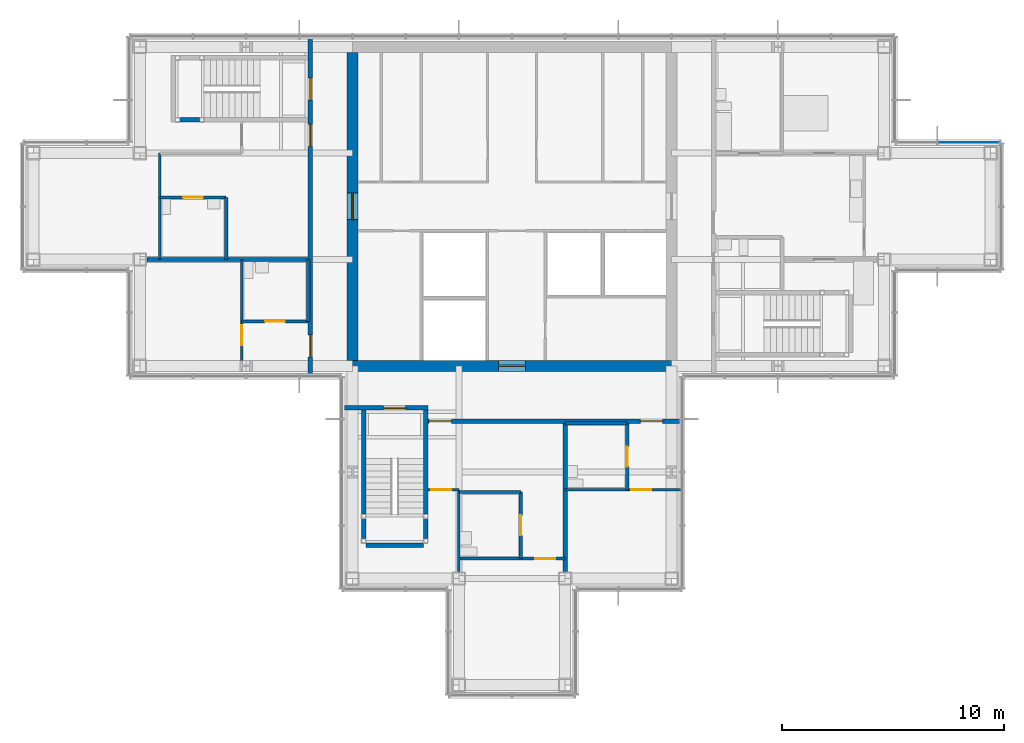
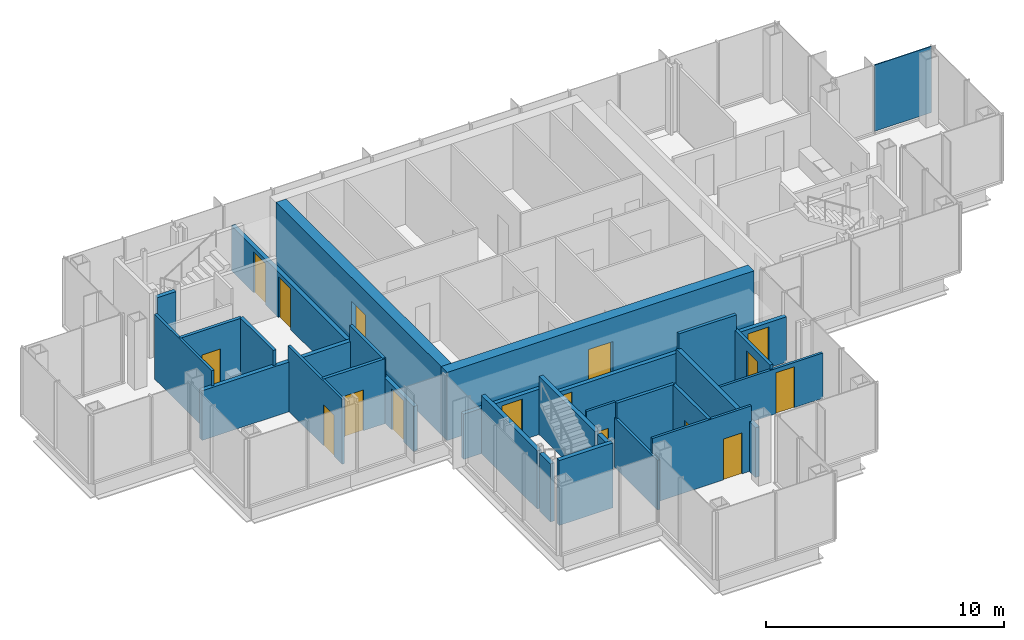
# One storey, part 10 of 15: 27 walls, 16 doors, 1 plate, 16 openings, 1 element without a shape of its own.
"""IFC4 building model written with IfcOpenShell, lengths in metres."""

from ifc_helpers import new_model, si_unit, direction, frame, frame_2d, origin, origin_2d, place, context, subcontext, project, spatial, rectangle, extrude, material, layer, layer_set, type_object, element, fill, aggregate, save


model = new_model("IFC4")

# Units and contexts
model_context = context("Model", 3, precision=1e-05, world=origin(), true_north=direction((0.0, 1.0)))
body_context = subcontext(model_context, "Body", "Model", "MODEL_VIEW")
ifc_project = project(units=[si_unit("LENGTHUNIT", "METRE"), si_unit("AREAUNIT", "SQUARE_METRE"), si_unit("VOLUMEUNIT", "CUBIC_METRE"), si_unit("PLANEANGLEUNIT", "RADIAN"), si_unit("MASSUNIT", "GRAM", prefix="KILO")], contexts=[model_context])

# Site, building, storey
site_placement = place(None, origin())
site = spatial("IfcSite", under=ifc_project, at=site_placement, CompositionType="ELEMENT")
building_placement = place(site_placement, origin())
building = spatial("IfcBuilding", under=site, at=building_placement, Name="Kvirike Care Tower", CompositionType="ELEMENT")
storey_placement = place(building_placement, frame((0.0, 0.0, 233.0)))
storey = spatial("IfcBuildingStorey", under=building, at=storey_placement, Name="L64", CompositionType="ELEMENT", Elevation=233.0)

# Curtain wall, plate
ifc_material_1 = material(Name="Anodised aluminium stick system", Category="aluminium")
curtain_wall_type = type_object("IfcCurtainWallType", Name="CW-D STICK CURTAIN WALL", PredefinedType="NOTDEFINED", material=ifc_material_1)
curtain_wall_placement = place(storey_placement, origin())
curtain_wall = element("IfcCurtainWall", 1, at=curtain_wall_placement, inside=storey, type_object=curtain_wall_type, Name="Curtain wall L64 face 5", PredefinedType="NOTDEFINED")
ifc_material_2 = material(Name="Tinted double glazed unit", Category="glass")
ifc_layer_1 = layer(ifc_material_2, 0.0439453125)
ifc_layer_set_1 = layer_set([ifc_layer_1], Name="TINTED VISION PANEL 44")
plate_type = type_object("IfcPlateType", Name="TINTED VISION PANEL 44", PredefinedType="CURTAIN_PANEL", material=ifc_layer_set_1)
plate_placement = place(storey_placement, frame((42.2236328125, 38.8798828125, 0.10009765625), z_axis=(0.0, 0.0, 1.0), x_axis=(-1.0, 0.0, 0.0)))
plate = element("IfcPlate", 2, at=plate_placement, type_object=plate_type, Name="CW-D panel L64 face 5.1", PredefinedType="CURTAIN_PANEL", context=body_context, shape_type="SweptSolid", body=[
    extrude(rectangle(XDim=2.782470703125, YDim=0.0439453125, at=origin_2d()), origin(), (0.0, 0.0, 1.0), 3.39990234375),
])
aggregate(curtain_wall, [plate])

# Wall, opening, door
ifc_material_3 = material(Name="Moisture-resistant board partition", Category="gypsum")
ifc_layer_2 = layer(ifc_material_3, 0.14990234375)
ifc_layer_set_2 = layer_set([ifc_layer_2], Name="BATHROOM WALL 150")
wall_type_1 = type_object("IfcWallType", Name="BATHROOM WALL 150", PredefinedType="PARTITIONING", material=ifc_layer_set_2)
wall_1_placement = place(storey_placement, frame((5.699951171875, 36.39990234375, 0.0), z_axis=(0.0, 0.0, 1.0), x_axis=(1.0, 0.0, 0.0)))
wall_1 = element("IfcWall", 3, at=wall_1_placement, inside=storey, type_object=wall_type_1, Name="Bathroom Wall 150 L64", PredefinedType="PARTITIONING", context=body_context, shape_type="SweptSolid", body=[
    extrude(rectangle(XDim=3.0, YDim=0.14990234375, at=frame_2d((1.5, 0.0))), origin(), (0.0, 0.0, 1.0), 3.330078125),
])
opening_1_placement = place(wall_1_placement, frame((1.050048828125, 0.0, 0.0)))
opening_1 = element("IfcOpeningElement", 4, at=opening_1_placement, cuts=wall_1, Name="Opening 64-001", PredefinedType="OPENING", context=body_context, shape_type="SweptSolid", body=[
    extrude(rectangle(XDim=0.89990234375, YDim=2.10009765625, at=frame_2d((0.449951171875, 1.050048828125))), frame((0.0, 0.08544921875, 0.0), z_axis=(0.0, -1.0, 0.0), x_axis=(1.0, 0.0, 0.0)), (0.0, 0.0, 1.0), 0.1708984375),
])
ifc_material_4 = material(Name="Timber door set", Category="wood")
door_type_1 = type_object("IfcDoorType", Name="BATHROOM DOOR 900", OperationType="SINGLE_SWING_RIGHT", PredefinedType="DOOR", material=ifc_material_4)
door_1_placement = place(opening_1_placement, frame((0.89990234375, 0.0, 0.0), z_axis=(0.0, 0.0, 1.0), x_axis=(-1.0, 0.0, 0.0)))
door_1 = element("IfcDoor", 5, at=door_1_placement, inside=storey, type_object=door_type_1, Name="Staff WC door", OperationType="SINGLE_SWING_LEFT", OverallHeight=2.10009765625, OverallWidth=0.89990234375, PredefinedType="DOOR", context=body_context, shape_type="SweptSolid", body=[
    extrude(rectangle(XDim=0.89990234375, YDim=2.10009765625, at=frame_2d((0.449951171875, 1.050048828125))), frame((0.0, 0.02197265625, 0.0), z_axis=(0.0, -1.0, 0.0), x_axis=(1.0, 0.0, 0.0)), (0.0, 0.0, 1.0), 0.0439453125),
])
fill(opening_1, door_1)

# Wall
wall_2_placement = place(storey_placement, frame((8.699951171875, 36.39990234375, 0.0), z_axis=(0.0, 0.0, 1.0), x_axis=(0.0, -1.0, 0.0)))
element("IfcWall", 6, at=wall_2_placement, inside=storey, type_object=wall_type_1, Name="Bathroom Wall 150 L64", PredefinedType="PARTITIONING", context=body_context, shape_type="SweptSolid", body=[
    extrude(rectangle(XDim=2.7998046875, YDim=0.14990234375, at=frame_2d((1.39990234375, 0.0))), origin(), (0.0, 0.0, 1.0), 3.330078125),
])

# Wall, opening, door
wall_3_placement = place(storey_placement, frame((9.39990234375, 30.800048828125, 0.0), z_axis=(0.0, 0.0, 1.0), x_axis=(1.0, 0.0, 0.0)))
wall_3 = element("IfcWall", 7, at=wall_3_placement, inside=storey, type_object=wall_type_1, Name="Bathroom Wall 150 L64", PredefinedType="PARTITIONING", context=body_context, shape_type="SweptSolid", body=[
    extrude(rectangle(XDim=3.0, YDim=0.14990234375, at=frame_2d((1.5, 0.0))), origin(), (0.0, 0.0, 1.0), 3.330078125),
])
opening_2_placement = place(wall_3_placement, frame((1.050048828125, 0.0, 0.0)))
opening_2 = element("IfcOpeningElement", 8, at=opening_2_placement, cuts=wall_3, Name="Opening 64-003", PredefinedType="OPENING", context=body_context, shape_type="SweptSolid", body=[
    extrude(rectangle(XDim=0.89990234375, YDim=2.10009765625, at=frame_2d((0.449951171875, 1.050048828125))), frame((0.0, 0.08544921875, 0.0), z_axis=(0.0, -1.0, 0.0), x_axis=(1.0, 0.0, 0.0)), (0.0, 0.0, 1.0), 0.1708984375),
])
door_2_placement = place(opening_2_placement, frame((0.89990234375, 0.0, 0.0), z_axis=(0.0, 0.0, 1.0), x_axis=(-1.0, 0.0, 0.0)))
door_2 = element("IfcDoor", 9, at=door_2_placement, inside=storey, type_object=door_type_1, Name="Accessible WC door", OperationType="SINGLE_SWING_LEFT", OverallHeight=2.10009765625, OverallWidth=0.89990234375, PredefinedType="DOOR", context=body_context, shape_type="SweptSolid", body=[
    extrude(rectangle(XDim=0.89990234375, YDim=2.10009765625, at=frame_2d((0.449951171875, 1.050048828125))), frame((0.0, 0.02197265625, 0.0), z_axis=(0.0, -1.0, 0.0), x_axis=(1.0, 0.0, 0.0)), (0.0, 0.0, 1.0), 0.0439453125),
])
fill(opening_2, door_2)

# Wall
wall_4_placement = place(storey_placement, frame((12.39990234375, 33.60009765625, 0.0), z_axis=(0.0, 0.0, 1.0), x_axis=(0.0, -1.0, 0.0)))
element("IfcWall", 10, at=wall_4_placement, inside=storey, type_object=wall_type_1, Name="Bathroom Wall 150 L64", PredefinedType="PARTITIONING", context=body_context, shape_type="SweptSolid", body=[
    extrude(rectangle(XDim=2.800048828125, YDim=0.14990234375, at=frame_2d((1.39990234375, 0.0))), origin(), (0.0, 0.0, 1.0), 3.330078125),
])

# Wall, opening, door
wall_5_placement = place(storey_placement, frame((22.0, 20.10009765625, 0.0), z_axis=(0.0, 0.0, 1.0), x_axis=(0.0, 1.0, 0.0)))
wall_5 = element("IfcWall", 11, at=wall_5_placement, inside=storey, type_object=wall_type_1, Name="Bathroom Wall 150 L64", PredefinedType="PARTITIONING", context=body_context, shape_type="SweptSolid", body=[
    extrude(rectangle(XDim=3.0, YDim=0.14990234375, at=frame_2d((1.5, 0.0))), origin(), (0.0, 0.0, 1.0), 3.330078125),
])
opening_3_placement = place(wall_5_placement, frame((1.050048828125, 0.0, 0.0)))
opening_3 = element("IfcOpeningElement", 12, at=opening_3_placement, cuts=wall_5, Name="Opening 64-009", PredefinedType="OPENING", context=body_context, shape_type="SweptSolid", body=[
    extrude(rectangle(XDim=0.89990234375, YDim=2.10009765625, at=frame_2d((0.449951171875, 1.050048828125))), frame((0.0, 0.08544921875, 0.0), z_axis=(0.0, -1.0, 0.0), x_axis=(1.0, 0.0, 0.0)), (0.0, 0.0, 1.0), 0.1708984375),
])
door_3_placement = place(opening_3_placement, origin())
door_3 = element("IfcDoor", 13, at=door_3_placement, inside=storey, type_object=door_type_1, Name="Accessible WC door", OperationType="SINGLE_SWING_LEFT", OverallHeight=2.10009765625, OverallWidth=0.89990234375, PredefinedType="DOOR", context=body_context, shape_type="SweptSolid", body=[
    extrude(rectangle(XDim=0.89990234375, YDim=2.10009765625, at=frame_2d((0.449951171875, 1.050048828125))), frame((0.0, 0.02197265625, 0.0), z_axis=(0.0, -1.0, 0.0), x_axis=(1.0, 0.0, 0.0)), (0.0, 0.0, 1.0), 0.0439453125),
])
fill(opening_3, door_3)

# Wall
wall_6_placement = place(storey_placement, frame((19.199951171875, 23.10009765625, 0.0), z_axis=(0.0, 0.0, 1.0), x_axis=(1.0, 0.0, 0.0)))
element("IfcWall", 14, at=wall_6_placement, inside=storey, type_object=wall_type_1, Name="Bathroom Wall 150 L64", PredefinedType="PARTITIONING", context=body_context, shape_type="SweptSolid", body=[
    extrude(rectangle(XDim=2.800048828125, YDim=0.14990234375, at=frame_2d((1.39990234375, 0.0))), origin(), (0.0, 0.0, 1.0), 3.330078125),
])

# Wall, opening, door
wall_7_placement = place(storey_placement, frame((26.800048828125, 23.199951171875, 0.0), z_axis=(0.0, 0.0, 1.0), x_axis=(0.0, 1.0, 0.0)))
wall_7 = element("IfcWall", 15, at=wall_7_placement, inside=storey, type_object=wall_type_1, Name="Bathroom Wall 150 L64", PredefinedType="PARTITIONING", context=body_context, shape_type="SweptSolid", body=[
    extrude(rectangle(XDim=3.0, YDim=0.14990234375, at=frame_2d((1.5, 0.0))), origin(), (0.0, 0.0, 1.0), 2.550048828125),
])
opening_4_placement = place(wall_7_placement, frame((1.050048828125, 0.0, 0.0)))
opening_4 = element("IfcOpeningElement", 16, at=opening_4_placement, cuts=wall_7, Name="Opening 64-012", PredefinedType="OPENING", context=body_context, shape_type="SweptSolid", body=[
    extrude(rectangle(XDim=0.89990234375, YDim=2.10009765625, at=frame_2d((0.449951171875, 1.050048828125))), frame((0.0, 0.08544921875, 0.0), z_axis=(0.0, -1.0, 0.0), x_axis=(1.0, 0.0, 0.0)), (0.0, 0.0, 1.0), 0.1708984375),
])
door_4_placement = place(opening_4_placement, frame((0.89990234375, 0.0, 0.0), z_axis=(0.0, 0.0, 1.0), x_axis=(-1.0, 0.0, 0.0)))
door_4 = element("IfcDoor", 17, at=door_4_placement, inside=storey, type_object=door_type_1, Name="Staff WC door", OperationType="SINGLE_SWING_RIGHT", OverallHeight=2.10009765625, OverallWidth=0.89990234375, PredefinedType="DOOR", context=body_context, shape_type="SweptSolid", body=[
    extrude(rectangle(XDim=0.89990234375, YDim=2.10009765625, at=frame_2d((0.449951171875, 1.050048828125))), frame((0.0, 0.02197265625, 0.0), z_axis=(0.0, -1.0, 0.0), x_axis=(1.0, 0.0, 0.0)), (0.0, 0.0, 1.0), 0.0439453125),
])
fill(opening_4, door_4)

# Wall
wall_8_placement = place(storey_placement, frame((24.0, 26.199951171875, 0.0), z_axis=(0.0, 0.0, 1.0), x_axis=(1.0, 0.0, 0.0)))
element("IfcWall", 18, at=wall_8_placement, inside=storey, type_object=wall_type_1, Name="Bathroom Wall 150 L64", PredefinedType="PARTITIONING", context=body_context, shape_type="SweptSolid", body=[
    extrude(rectangle(XDim=2.800048828125, YDim=0.14990234375, at=frame_2d((1.39990234375, 0.0))), origin(), (0.0, 0.0, 1.0), 3.330078125),
])

# Wall, opening, door
ifc_material_5 = material(Name="Concrete C40/50", Category="concrete")
ifc_layer_3 = layer(ifc_material_5, 0.5)
ifc_layer_set_3 = layer_set([ifc_layer_3], Name="CORE WALL 500 C40-50")
wall_type_2 = type_object("IfcWallType", Name="CORE WALL 500 C40-50", PredefinedType="SHEAR", material=ifc_layer_set_3)
wall_9_placement = place(storey_placement, frame((14.14990234375, 28.800048828125, -0.169921875), z_axis=(0.0, 0.0, 1.0), x_axis=(1.0, 0.0, 0.0)))
wall_9 = element("IfcWall", 19, at=wall_9_placement, inside=storey, type_object=wall_type_2, Name="Core wall S L64", PredefinedType="SHEAR", context=body_context, shape_type="SweptSolid", body=[
    extrude(rectangle(XDim=14.900146484375, YDim=0.5, at=frame_2d((7.4501953125, 0.0))), origin(), (0.0, 0.0, 1.0), 3.5),
])
opening_5_placement = place(wall_9_placement, frame((6.85009765625, 0.0, 0.169921875)))
opening_5 = element("IfcOpeningElement", 20, at=opening_5_placement, cuts=wall_9, Name="Opening 64-036", PredefinedType="OPENING", context=body_context, shape_type="SweptSolid", body=[
    extrude(rectangle(XDim=1.199951171875, YDim=2.10009765625, at=frame_2d((0.60009765625, 1.050048828125))), frame((0.0, 0.260498046875, 0.0), z_axis=(0.0, -1.0, 0.0), x_axis=(1.0, 0.0, 0.0)), (0.0, 0.0, 1.0), 0.52099609375),
])
ifc_material_6 = material(Name="Timber door set", Category="wood")
door_type_2 = type_object("IfcDoorType", Name="CORE DOOR 1200", OperationType="SINGLE_SWING_LEFT", PredefinedType="DOOR", material=ifc_material_6)
door_5_placement = place(opening_5_placement, origin())
door_5 = element("IfcDoor", 21, at=door_5_placement, inside=storey, type_object=door_type_2, Name="Core door S L64", OperationType="SINGLE_SWING_LEFT", OverallHeight=2.10009765625, OverallWidth=1.199951171875, PredefinedType="DOOR", context=body_context, shape_type="SweptSolid", body=[
    extrude(rectangle(XDim=1.199951171875, YDim=2.10009765625, at=frame_2d((0.60009765625, 1.050048828125))), frame((0.0, 0.02685546875, 0.0), z_axis=(0.0, -1.0, 0.0), x_axis=(1.0, 0.0, 0.0)), (0.0, 0.0, 1.0), 0.053955078125),
])
fill(opening_5, door_5)

wall_10_placement = place(storey_placement, frame((14.39990234375, 42.949951171875, -0.169921875), z_axis=(0.0, 0.0, 1.0), x_axis=(0.0, -1.0, 0.0)))
wall_10 = element("IfcWall", 22, at=wall_10_placement, inside=storey, type_object=wall_type_2, Name="Core wall W L64", PredefinedType="SHEAR", context=body_context, shape_type="SweptSolid", body=[
    extrude(rectangle(XDim=13.89990234375, YDim=0.5, at=frame_2d((6.949951171875, 0.0))), origin(), (0.0, 0.0, 1.0), 3.5),
])
opening_6_placement = place(wall_10_placement, frame((6.35009765625, 0.0, 0.169921875)))
opening_6 = element("IfcOpeningElement", 23, at=opening_6_placement, cuts=wall_10, Name="Opening 64-037", PredefinedType="OPENING", context=body_context, shape_type="SweptSolid", body=[
    extrude(rectangle(XDim=1.199951171875, YDim=2.10009765625, at=frame_2d((0.60009765625, 1.050048828125))), frame((0.0, 0.260498046875, 0.0), z_axis=(0.0, -1.0, 0.0), x_axis=(1.0, 0.0, 0.0)), (0.0, 0.0, 1.0), 0.52099609375),
])
door_6_placement = place(opening_6_placement, origin())
door_6 = element("IfcDoor", 24, at=door_6_placement, inside=storey, type_object=door_type_2, Name="Core door W L64", OperationType="SINGLE_SWING_LEFT", OverallHeight=2.10009765625, OverallWidth=1.199951171875, PredefinedType="DOOR", context=body_context, shape_type="SweptSolid", body=[
    extrude(rectangle(XDim=1.199951171875, YDim=2.10009765625, at=frame_2d((0.60009765625, 1.050048828125))), frame((0.0, 0.02685546875, 0.0), z_axis=(0.0, -1.0, 0.0), x_axis=(1.0, 0.0, 0.0)), (0.0, 0.0, 1.0), 0.053955078125),
])
fill(opening_6, door_6)

# Wall, openings, doors
ifc_material_7 = material(Name="Plasterboard corridor wall", Category="gypsum")
ifc_layer_4 = layer(ifc_material_7, 0.199951171875)
ifc_layer_set_4 = layer_set([ifc_layer_4], Name="CORRIDOR WALL 200")
wall_type_3 = type_object("IfcWallType", Name="CORRIDOR WALL 200", PredefinedType="PARTITIONING", material=ifc_layer_set_4)
wall_11_placement = place(storey_placement, frame((12.5, 43.655029296875, 0.0), z_axis=(0.0, 0.0, 1.0), x_axis=(0.0, -1.0, 0.0)))
wall_11 = element("IfcWall", 25, at=wall_11_placement, inside=storey, type_object=wall_type_3, Name="Corridor Wall 200 L64", PredefinedType="PARTITIONING", context=body_context, shape_type="SweptSolid", body=[
    extrude(rectangle(XDim=15.31005859375, YDim=0.199951171875, at=frame_2d((7.655029296875, 0.0))), origin(), (0.0, 0.0, 1.0), 2.320068359375),
])
opening_7_placement = place(wall_11_placement, frame((1.85498046875, 0.0, 0.0)))
opening_7 = element("IfcOpeningElement", 26, at=opening_7_placement, cuts=wall_11, Name="Opening 64-005", PredefinedType="OPENING", context=body_context, shape_type="SweptSolid", body=[
    extrude(rectangle(XDim=1.0, YDim=2.10009765625, at=frame_2d((0.5, 1.050048828125))), frame((0.0, 0.110595703125, 0.0), z_axis=(0.0, -1.0, 0.0), x_axis=(1.0, 0.0, 0.0)), (0.0, 0.0, 1.0), 0.220947265625),
])
opening_8_placement = place(wall_11_placement, frame((3.955078125, 0.0, 0.0)))
opening_8 = element("IfcOpeningElement", 27, at=opening_8_placement, cuts=wall_11, Name="Opening 64-006", PredefinedType="OPENING", context=body_context, shape_type="SweptSolid", body=[
    extrude(rectangle(XDim=1.0, YDim=2.10009765625, at=frame_2d((0.5, 1.050048828125))), frame((0.0, 0.110595703125, 0.0), z_axis=(0.0, -1.0, 0.0), x_axis=(1.0, 0.0, 0.0)), (0.0, 0.0, 1.0), 0.220947265625),
])
opening_9_placement = place(wall_11_placement, frame((13.455078125, 0.0, 0.0)))
opening_9 = element("IfcOpeningElement", 28, at=opening_9_placement, cuts=wall_11, Name="Opening 64-007", PredefinedType="OPENING", context=body_context, shape_type="SweptSolid", body=[
    extrude(rectangle(XDim=1.0, YDim=2.10009765625, at=frame_2d((0.5, 1.050048828125))), frame((0.0, 0.110595703125, 0.0), z_axis=(0.0, -1.0, 0.0), x_axis=(1.0, 0.0, 0.0)), (0.0, 0.0, 1.0), 0.220947265625),
])
ifc_material_8 = material(Name="Timber door set", Category="wood")
door_type_3 = type_object("IfcDoorType", Name="FLAT ENTRANCE DOOR 1000", OperationType="SINGLE_SWING_LEFT", PredefinedType="DOOR", material=ifc_material_8)
door_7_placement = place(opening_8_placement, frame((1.0, 0.0, 0.0), z_axis=(0.0, 0.0, 1.0), x_axis=(-1.0, 0.0, 0.0)))
door_7 = element("IfcDoor", 29, at=door_7_placement, inside=storey, type_object=door_type_3, Name="Staff training room entrance", OperationType="SINGLE_SWING_LEFT", OverallHeight=2.10009765625, OverallWidth=1.0, PredefinedType="DOOR", context=body_context, shape_type="SweptSolid", body=[
    extrude(rectangle(XDim=1.0, YDim=2.10009765625, at=frame_2d((0.5, 1.050048828125))), frame((0.0, 0.02685546875, 0.0), z_axis=(0.0, -1.0, 0.0), x_axis=(1.0, 0.0, 0.0)), (0.0, 0.0, 1.0), 0.053955078125),
])
fill(opening_8, door_7)
door_8_placement = place(opening_9_placement, frame((1.0, 0.0, 0.0), z_axis=(0.0, 0.0, 1.0), x_axis=(-1.0, 0.0, 0.0)))
door_8 = element("IfcDoor", 30, at=door_8_placement, inside=storey, type_object=door_type_3, Name="Staff office entrance", OperationType="SINGLE_SWING_RIGHT", OverallHeight=2.10009765625, OverallWidth=1.0, PredefinedType="DOOR", context=body_context, shape_type="SweptSolid", body=[
    extrude(rectangle(XDim=1.0, YDim=2.10009765625, at=frame_2d((0.5, 1.050048828125))), frame((0.0, 0.02685546875, 0.0), z_axis=(0.0, -1.0, 0.0), x_axis=(1.0, 0.0, 0.0)), (0.0, 0.0, 1.0), 0.053955078125),
])
fill(opening_9, door_8)
ifc_material_9 = material(Name="Timber door set", Category="wood")
door_type_4 = type_object("IfcDoorType", Name="STAIR DOOR 1000", OperationType="SINGLE_SWING_LEFT", PredefinedType="DOOR", material=ifc_material_9)
door_9_placement = place(opening_7_placement, frame((1.0, 0.0, 0.0), z_axis=(0.0, 0.0, 1.0), x_axis=(-1.0, 0.0, 0.0)))
door_9 = element("IfcDoor", 31, at=door_9_placement, inside=storey, type_object=door_type_4, Name="Stair 1 door", OperationType="SINGLE_SWING_LEFT", OverallHeight=2.10009765625, OverallWidth=1.0, PredefinedType="DOOR", context=body_context, shape_type="SweptSolid", body=[
    extrude(rectangle(XDim=1.0, YDim=2.10009765625, at=frame_2d((0.5, 1.050048828125))), frame((0.0, 0.031982421875, 0.0), z_axis=(0.0, -1.0, 0.0), x_axis=(1.0, 0.0, 0.0)), (0.0, 0.0, 1.0), 0.06396484375),
])
fill(opening_7, door_9)

wall_12_placement = place(storey_placement, frame((17.800048828125, 26.300048828125, 0.0), z_axis=(0.0, 0.0, 1.0), x_axis=(1.0, 0.0, 0.0)))
wall_12 = element("IfcWall", 32, at=wall_12_placement, inside=storey, type_object=wall_type_3, Name="Corridor Wall 200 L64", PredefinedType="PARTITIONING", context=body_context, shape_type="SweptSolid", body=[
    extrude(rectangle(XDim=11.454833984375, YDim=0.199951171875, at=frame_2d((5.7275390625, 0.0))), origin(), (0.0, 0.0, 1.0), 2.320068359375),
])
opening_10_placement = place(wall_12_placement, frame((0.06005859375, 0.0, 0.0)))
opening_10 = element("IfcOpeningElement", 33, at=opening_10_placement, cuts=wall_12, Name="Opening 64-014", PredefinedType="OPENING", context=body_context, shape_type="SweptSolid", body=[
    extrude(rectangle(XDim=1.0, YDim=2.10009765625, at=frame_2d((0.5, 1.050048828125))), frame((0.0, 0.110595703125, 0.0), z_axis=(0.0, -1.0, 0.0), x_axis=(1.0, 0.0, 0.0)), (0.0, 0.0, 1.0), 0.220947265625),
])
opening_11_placement = place(wall_12_placement, frame((9.60009765625, 0.0, 0.0)))
opening_11 = element("IfcOpeningElement", 34, at=opening_11_placement, cuts=wall_12, Name="Opening 64-015", PredefinedType="OPENING", context=body_context, shape_type="SweptSolid", body=[
    extrude(rectangle(XDim=1.0, YDim=2.10009765625, at=frame_2d((0.5, 1.050048828125))), frame((0.0, 0.110595703125, 0.0), z_axis=(0.0, -1.0, 0.0), x_axis=(1.0, 0.0, 0.0)), (0.0, 0.0, 1.0), 0.220947265625),
])
door_10_placement = place(opening_10_placement, frame((1.0, 0.0, 0.0), z_axis=(0.0, 0.0, 1.0), x_axis=(-1.0, 0.0, 0.0)))
door_10 = element("IfcDoor", 35, at=door_10_placement, inside=storey, type_object=door_type_3, Name="Fitness room entrance", OperationType="SINGLE_SWING_LEFT", OverallHeight=2.10009765625, OverallWidth=1.0, PredefinedType="DOOR", context=body_context, shape_type="SweptSolid", body=[
    extrude(rectangle(XDim=1.0, YDim=2.10009765625, at=frame_2d((0.5, 1.050048828125))), frame((0.0, 0.02685546875, 0.0), z_axis=(0.0, -1.0, 0.0), x_axis=(1.0, 0.0, 0.0)), (0.0, 0.0, 1.0), 0.053955078125),
])
fill(opening_10, door_10)
door_11_placement = place(opening_11_placement, frame((1.0, 0.0, 0.0), z_axis=(0.0, 0.0, 1.0), x_axis=(-1.0, 0.0, 0.0)))
door_11 = element("IfcDoor", 36, at=door_11_placement, inside=storey, type_object=door_type_3, Name="Wellness treatment room entrance", OperationType="SINGLE_SWING_RIGHT", OverallHeight=2.10009765625, OverallWidth=1.0, PredefinedType="DOOR", context=body_context, shape_type="SweptSolid", body=[
    extrude(rectangle(XDim=1.0, YDim=2.10009765625, at=frame_2d((0.5, 1.050048828125))), frame((0.0, 0.02685546875, 0.0), z_axis=(0.0, -1.0, 0.0), x_axis=(1.0, 0.0, 0.0)), (0.0, 0.0, 1.0), 0.053955078125),
])
fill(opening_11, door_11)

# Wall
ifc_material_10 = material(Name="Plasterboard partition", Category="gypsum")
ifc_layer_5 = layer(ifc_material_10, 0.1201171875)
ifc_layer_set_5 = layer_set([ifc_layer_5], Name="PARTITION 120")
wall_type_4 = type_object("IfcWallType", Name="PARTITION 120", PredefinedType="PARTITIONING", material=ifc_layer_set_5)
wall_13_placement = place(storey_placement, frame((5.699951171875, 38.39990234375, 0.0), z_axis=(0.0, 0.0, 1.0), x_axis=(0.0, -1.0, 0.0)))
element("IfcWall", 37, at=wall_13_placement, inside=storey, type_object=wall_type_4, Name="Partition 120 L64", PredefinedType="PARTITIONING", context=body_context, shape_type="SweptSolid", body=[
    extrude(rectangle(XDim=4.7998046875, YDim=0.1201171875, at=frame_2d((2.39990234375, 0.0))), origin(), (0.0, 0.0, 1.0), 3.330078125),
])

# Wall, opening, door
wall_14_placement = place(storey_placement, frame((9.39990234375, 33.60009765625, 0.0), z_axis=(0.0, 0.0, 1.0), x_axis=(0.0, -1.0, 0.0)))
wall_14 = element("IfcWall", 38, at=wall_14_placement, inside=storey, type_object=wall_type_4, Name="Partition 120 L64", PredefinedType="PARTITIONING", context=body_context, shape_type="SweptSolid", body=[
    extrude(rectangle(XDim=4.55615234375, YDim=0.1201171875, at=frame_2d((2.278076171875, 0.0))), origin(), (0.0, 0.0, 1.0), 3.330078125),
])
opening_12_placement = place(wall_14_placement, frame((2.97509765625, 0.0, 0.0)))
opening_12 = element("IfcOpeningElement", 39, at=opening_12_placement, cuts=wall_14, Name="Opening 64-004", PredefinedType="OPENING", context=body_context, shape_type="SweptSolid", body=[
    extrude(rectangle(XDim=0.89990234375, YDim=2.10009765625, at=frame_2d((0.449951171875, 1.050048828125))), frame((0.0, 0.070556640625, 0.0), z_axis=(0.0, -1.0, 0.0), x_axis=(1.0, 0.0, 0.0)), (0.0, 0.0, 1.0), 0.14111328125),
])
ifc_material_11 = material(Name="Timber door set", Category="wood")
door_type_5 = type_object("IfcDoorType", Name="INTERNAL DOOR 900", OperationType="SINGLE_SWING_LEFT", PredefinedType="DOOR", material=ifc_material_11)
door_12_placement = place(opening_12_placement, origin())
door_12 = element("IfcDoor", 40, at=door_12_placement, inside=storey, type_object=door_type_5, Name="Staff office door", OperationType="SINGLE_SWING_RIGHT", OverallHeight=2.10009765625, OverallWidth=0.89990234375, PredefinedType="DOOR", context=body_context, shape_type="SweptSolid", body=[
    extrude(rectangle(XDim=0.89990234375, YDim=2.10009765625, at=frame_2d((0.449951171875, 1.050048828125))), frame((0.0, 0.02197265625, 0.0), z_axis=(0.0, -1.0, 0.0), x_axis=(1.0, 0.0, 0.0)), (0.0, 0.0, 1.0), 0.0439453125),
])
fill(opening_12, door_12)

wall_15_placement = place(storey_placement, frame((17.800048828125, 23.199951171875, 0.0), z_axis=(0.0, 0.0, 1.0), x_axis=(1.0, 0.0, 0.0)))
wall_15 = element("IfcWall", 41, at=wall_15_placement, inside=storey, type_object=wall_type_4, Name="Partition 120 L64", PredefinedType="PARTITIONING", context=body_context, shape_type="SweptSolid", body=[
    extrude(rectangle(XDim=1.39990234375, YDim=0.1201171875, at=frame_2d((0.699951171875, 0.0))), origin(), (0.0, 0.0, 1.0), 3.330078125),
])
opening_13_placement = place(wall_15_placement, frame((0.14990234375, 0.0, 0.0)))
opening_13 = element("IfcOpeningElement", 42, at=opening_13_placement, cuts=wall_15, Name="Opening 64-010", PredefinedType="OPENING", context=body_context, shape_type="SweptSolid", body=[
    extrude(rectangle(XDim=0.89990234375, YDim=2.10009765625, at=frame_2d((0.449951171875, 1.050048828125))), frame((0.0, 0.070556640625, 0.0), z_axis=(0.0, -1.0, 0.0), x_axis=(1.0, 0.0, 0.0)), (0.0, 0.0, 1.0), 0.14111328125),
])
door_13_placement = place(opening_13_placement, frame((0.89990234375, 0.0, 0.0), z_axis=(0.0, 0.0, 1.0), x_axis=(-1.0, 0.0, 0.0)))
door_13 = element("IfcDoor", 43, at=door_13_placement, inside=storey, type_object=door_type_5, Name="Wellness lounge door", OperationType="SINGLE_SWING_LEFT", OverallHeight=2.10009765625, OverallWidth=0.89990234375, PredefinedType="DOOR", context=body_context, shape_type="SweptSolid", body=[
    extrude(rectangle(XDim=0.89990234375, YDim=2.10009765625, at=frame_2d((0.449951171875, 1.050048828125))), frame((0.0, 0.02197265625, 0.0), z_axis=(0.0, -1.0, 0.0), x_axis=(1.0, 0.0, 0.0)), (0.0, 0.0, 1.0), 0.0439453125),
])
fill(opening_13, door_13)

wall_16_placement = place(storey_placement, frame((19.199951171875, 20.10009765625, 0.0), z_axis=(0.0, 0.0, 1.0), x_axis=(1.0, 0.0, 0.0)))
wall_16 = element("IfcWall", 44, at=wall_16_placement, inside=storey, type_object=wall_type_4, Name="Partition 120 L64", PredefinedType="PARTITIONING", context=body_context, shape_type="SweptSolid", body=[
    extrude(rectangle(XDim=4.800048828125, YDim=0.1201171875, at=frame_2d((2.39990234375, 0.0))), origin(), (0.0, 0.0, 1.0), 3.330078125),
])
opening_14_placement = place(wall_16_placement, frame((3.449951171875, 0.0, 0.0)))
opening_14 = element("IfcOpeningElement", 45, at=opening_14_placement, cuts=wall_16, Name="Opening 64-011", PredefinedType="OPENING", context=body_context, shape_type="SweptSolid", body=[
    extrude(rectangle(XDim=0.89990234375, YDim=2.10009765625, at=frame_2d((0.449951171875, 1.050048828125))), frame((0.0, 0.070556640625, 0.0), z_axis=(0.0, -1.0, 0.0), x_axis=(1.0, 0.0, 0.0)), (0.0, 0.0, 1.0), 0.14111328125),
])
door_14_placement = place(opening_14_placement, origin())
door_14 = element("IfcDoor", 46, at=door_14_placement, inside=storey, type_object=door_type_5, Name="Fitness room door", OperationType="SINGLE_SWING_LEFT", OverallHeight=2.10009765625, OverallWidth=0.89990234375, PredefinedType="DOOR", context=body_context, shape_type="SweptSolid", body=[
    extrude(rectangle(XDim=0.89990234375, YDim=2.10009765625, at=frame_2d((0.449951171875, 1.050048828125))), frame((0.0, 0.02197265625, 0.0), z_axis=(0.0, -1.0, 0.0), x_axis=(1.0, 0.0, 0.0)), (0.0, 0.0, 1.0), 0.0439453125),
])
fill(opening_14, door_14)

# Wall
wall_17_placement = place(storey_placement, frame((19.199951171875, 19.52001953125, 0.0), z_axis=(0.0, 0.0, 1.0), x_axis=(0.0, 1.0, 0.0)))
element("IfcWall", 47, at=wall_17_placement, inside=storey, type_object=wall_type_4, Name="Partition 120 L64", PredefinedType="PARTITIONING", context=body_context, shape_type="SweptSolid", body=[
    extrude(rectangle(XDim=3.679931640625, YDim=0.1201171875, at=frame_2d((1.83984375, 0.0))), origin(), (0.0, 0.0, 1.0), 2.550048828125),
])

# Wall, opening, door
wall_18_placement = place(storey_placement, frame((24.0, 23.199951171875, 0.0), z_axis=(0.0, 0.0, 1.0), x_axis=(1.0, 0.0, 0.0)))
wall_18 = element("IfcWall", 48, at=wall_18_placement, inside=storey, type_object=wall_type_4, Name="Partition 120 L64", PredefinedType="PARTITIONING", context=body_context, shape_type="SweptSolid", body=[
    extrude(rectangle(XDim=5.2548828125, YDim=0.1201171875, at=frame_2d((2.62744140625, 0.0))), origin(), (0.0, 0.0, 1.0), 2.320068359375),
])
opening_15_placement = place(wall_18_placement, frame((2.97509765625, 0.0, 0.0)))
opening_15 = element("IfcOpeningElement", 49, at=opening_15_placement, cuts=wall_18, Name="Opening 64-013", PredefinedType="OPENING", context=body_context, shape_type="SweptSolid", body=[
    extrude(rectangle(XDim=0.89990234375, YDim=2.10009765625, at=frame_2d((0.449951171875, 1.050048828125))), frame((0.0, 0.070556640625, 0.0), z_axis=(0.0, -1.0, 0.0), x_axis=(1.0, 0.0, 0.0)), (0.0, 0.0, 1.0), 0.14111328125),
])
door_15_placement = place(opening_15_placement, origin())
door_15 = element("IfcDoor", 50, at=door_15_placement, inside=storey, type_object=door_type_5, Name="Wellness treatment room door", OperationType="SINGLE_SWING_RIGHT", OverallHeight=2.10009765625, OverallWidth=0.89990234375, PredefinedType="DOOR", context=body_context, shape_type="SweptSolid", body=[
    extrude(rectangle(XDim=0.89990234375, YDim=2.10009765625, at=frame_2d((0.449951171875, 1.050048828125))), frame((0.0, 0.02197265625, 0.0), z_axis=(0.0, -1.0, 0.0), x_axis=(1.0, 0.0, 0.0)), (0.0, 0.0, 1.0), 0.0439453125),
])
fill(opening_15, door_15)

# Walls
ifc_material_12 = material(Name="Plasterboard party wall", Category="gypsum")
ifc_layer_6 = layer(ifc_material_12, 0.199951171875)
ifc_layer_set_6 = layer_set([ifc_layer_6], Name="PARTY WALL 200")
wall_type_5 = type_object("IfcWallType", Name="PARTY WALL 200", PredefinedType="PARTITIONING", material=ifc_layer_set_6)
wall_19_placement = place(storey_placement, frame((5.1201171875, 33.60009765625, 0.0), z_axis=(0.0, 0.0, 1.0), x_axis=(1.0, 0.0, 0.0)))
element("IfcWall", 51, at=wall_19_placement, inside=storey, type_object=wall_type_5, Name="Party Wall 200 L64", PredefinedType="PARTITIONING", context=body_context, shape_type="SweptSolid", body=[
    extrude(rectangle(XDim=7.27978515625, YDim=0.199951171875, at=frame_2d((3.639892578125, 0.0))), origin(), (0.0, 0.0, 1.0), 2.550048828125),
])
wall_20_placement = place(storey_placement, frame((24.0, 19.52001953125, 0.0), z_axis=(0.0, 0.0, 1.0), x_axis=(0.0, 1.0, 0.0)))
element("IfcWall", 52, at=wall_20_placement, inside=storey, type_object=wall_type_5, Name="Party Wall 200 L64", PredefinedType="PARTITIONING", context=body_context, shape_type="SweptSolid", body=[
    extrude(rectangle(XDim=6.679931640625, YDim=0.199951171875, at=frame_2d((3.33984375, 0.0))), origin(), (0.0, 0.0, 1.0), 2.550048828125),
])
ifc_material_13 = material(Name="Concrete C40/50", Category="concrete")
ifc_layer_7 = layer(ifc_material_13, 0.199951171875)
ifc_layer_set_7 = layer_set([ifc_layer_7], Name="STAIR WALL 200")
wall_type_6 = type_object("IfcWallType", Name="STAIR WALL 200", PredefinedType="SOLIDWALL", material=ifc_layer_set_7)
for number, where, z_axis, x_axis, name in (
    (53, (6.60009765625, 39.89990234375, 0.0), (0.0, 0.0, 1.0), (1.0, 0.0, 0.0), "Stair Wall 200 L64"),
    (54, (14.89990234375, 21.0, 0.0), (0.0, 0.0, 1.0), (0.0, 1.0, 0.0), "Stair Wall 200 L64"),
):
    element("IfcWall", number, at=place(storey_placement, frame(where, z_axis=z_axis, x_axis=x_axis)), inside=storey, type_object=wall_type_6, Name=name, PredefinedType="SOLIDWALL", context=body_context, shape_type="SweptSolid", body=[
        extrude(rectangle(XDim=0.89990234375, YDim=0.199951171875, at=frame_2d((0.449951171875, 0.0))), origin(), (0.0, 0.0, 1.0), 2.989990234375),
    ])
wall_21_placement = place(storey_placement, frame((14.89990234375, 22.10009765625, 0.0), z_axis=(0.0, 0.0, 1.0), x_axis=(0.0, 1.0, 0.0)))
element("IfcWall", 55, at=wall_21_placement, inside=storey, type_object=wall_type_6, Name="Stair Wall 200 L64", PredefinedType="SOLIDWALL", context=body_context, shape_type="SweptSolid", body=[
    extrude(rectangle(XDim=4.699951171875, YDim=0.199951171875, at=frame_2d((2.35009765625, 0.0))), origin(), (0.0, 0.0, 1.0), 2.989990234375),
])
wall_22_placement = place(storey_placement, frame((17.699951171875, 21.0, 0.0), z_axis=(0.0, 0.0, 1.0), x_axis=(0.0, 1.0, 0.0)))
element("IfcWall", 56, at=wall_22_placement, inside=storey, type_object=wall_type_6, Name="Stair Wall 200 L64", PredefinedType="SOLIDWALL", context=body_context, shape_type="SweptSolid", body=[
    extrude(rectangle(XDim=0.89990234375, YDim=0.199951171875, at=frame_2d((0.449951171875, 0.0))), origin(), (0.0, 0.0, 1.0), 2.989990234375),
])
wall_23_placement = place(storey_placement, frame((17.699951171875, 22.10009765625, 0.0), z_axis=(0.0, 0.0, 1.0), x_axis=(0.0, 1.0, 0.0)))
element("IfcWall", 57, at=wall_23_placement, inside=storey, type_object=wall_type_6, Name="Stair Wall 200 L64", PredefinedType="SOLIDWALL", context=body_context, shape_type="SweptSolid", body=[
    extrude(rectangle(XDim=4.699951171875, YDim=0.199951171875, at=frame_2d((2.35009765625, 0.0))), origin(), (0.0, 0.0, 1.0), 2.989990234375),
])
wall_24_placement = place(storey_placement, frame((15.0, 20.699951171875, 0.0), z_axis=(0.0, 0.0, 1.0), x_axis=(1.0, 0.0, 0.0)))
element("IfcWall", 58, at=wall_24_placement, inside=storey, type_object=wall_type_6, Name="Stair Wall 200 L64", PredefinedType="SOLIDWALL", context=body_context, shape_type="SweptSolid", body=[
    extrude(rectangle(XDim=2.60009765625, YDim=0.199951171875, at=frame_2d((1.300048828125, 0.0))), origin(), (0.0, 0.0, 1.0), 3.330078125),
])

# Wall, opening, door
wall_25_placement = place(storey_placement, frame((13.945068359375, 26.89990234375, 0.0), z_axis=(0.0, 0.0, 1.0), x_axis=(1.0, 0.0, 0.0)))
wall_25 = element("IfcWall", 59, at=wall_25_placement, inside=storey, type_object=wall_type_6, Name="Stair Wall 200 L64", PredefinedType="SOLIDWALL", context=body_context, shape_type="SweptSolid", body=[
    extrude(rectangle(XDim=3.85498046875, YDim=0.199951171875, at=frame_2d((1.927490234375, 0.0))), origin(), (0.0, 0.0, 1.0), 2.320068359375),
])
opening_16_placement = place(wall_25_placement, frame((1.85498046875, 0.0, 0.0)))
opening_16 = element("IfcOpeningElement", 60, at=opening_16_placement, cuts=wall_25, Name="Opening 64-008", PredefinedType="OPENING", context=body_context, shape_type="SweptSolid", body=[
    extrude(rectangle(XDim=1.0, YDim=2.10009765625, at=frame_2d((0.5, 1.050048828125))), frame((0.0, 0.110595703125, 0.0), z_axis=(0.0, -1.0, 0.0), x_axis=(1.0, 0.0, 0.0)), (0.0, 0.0, 1.0), 0.220947265625),
])
door_16_placement = place(opening_16_placement, frame((1.0, 0.0, 0.0), z_axis=(0.0, 0.0, 1.0), x_axis=(-1.0, 0.0, 0.0)))
door_16 = element("IfcDoor", 61, at=door_16_placement, inside=storey, type_object=door_type_4, Name="Stair 5 door", OperationType="SINGLE_SWING_RIGHT", OverallHeight=2.10009765625, OverallWidth=1.0, PredefinedType="DOOR", context=body_context, shape_type="SweptSolid", body=[
    extrude(rectangle(XDim=1.0, YDim=2.10009765625, at=frame_2d((0.5, 1.050048828125))), frame((0.0, 0.031982421875, 0.0), z_axis=(0.0, -1.0, 0.0), x_axis=(1.0, 0.0, 0.0)), (0.0, 0.0, 1.0), 0.06396484375),
])
fill(opening_16, door_16)

save(model, "model.ifc")
